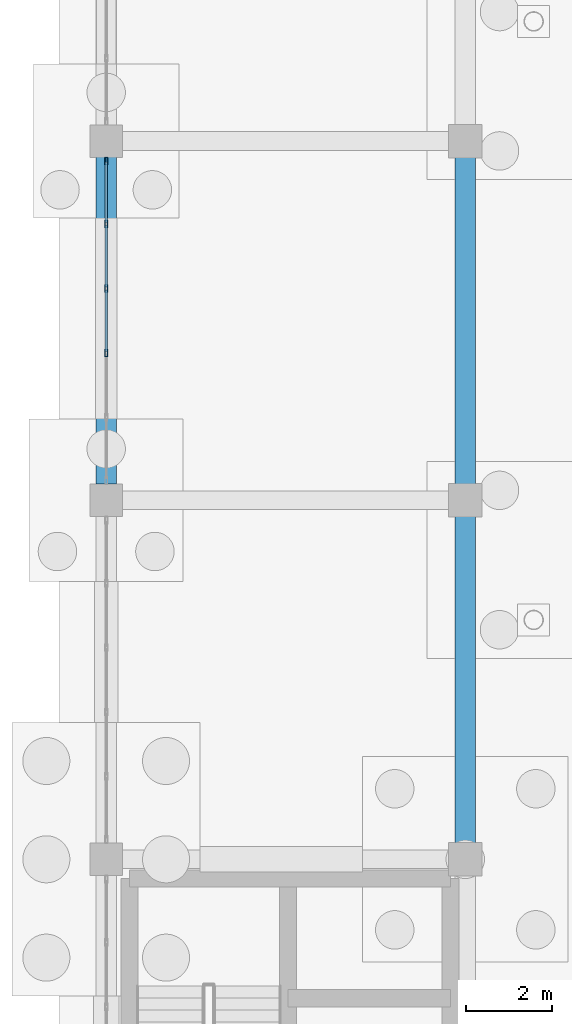
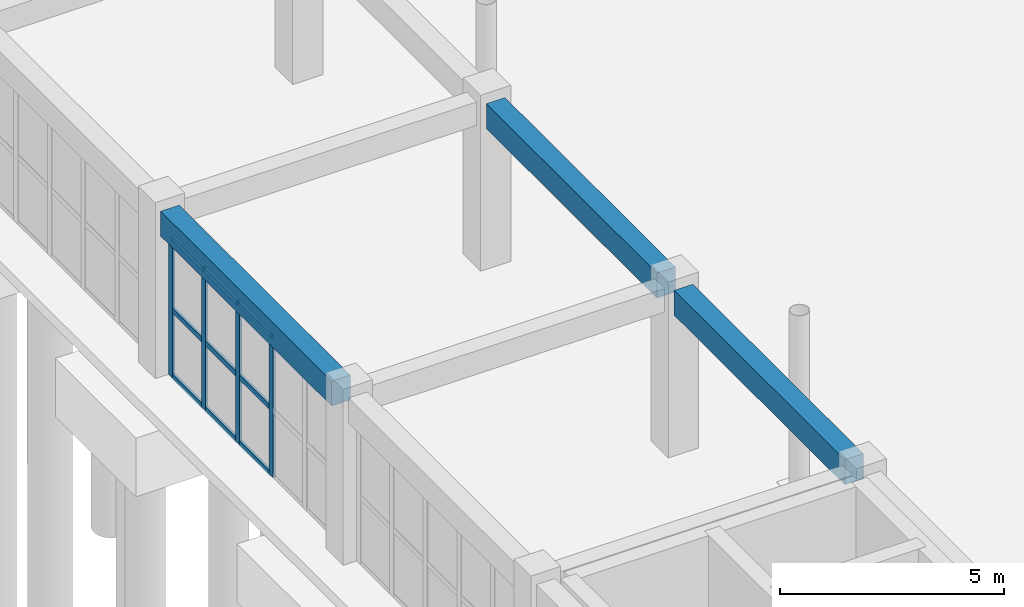
# One storey, part 126 of 192: 13 members, 3 beams, 1 element without a shape of its own.
"""IFC4 building model written with IfcOpenShell, lengths in metres."""

from ifc_helpers import new_model, si_unit, direction, frame, origin, origin_2d, place, context, subcontext, project, spatial, rectangle, hollow_rectangle, extrude, material, layer, layer_set, material_profile, profile_set, type_object, element, aggregate, save


model = new_model("IFC4")

# Units and contexts
model_context = context("Model", 3, precision=1e-05, world=origin(), true_north=direction((0.0, 1.0)))
body_context = subcontext(model_context, "Body", "Model", "MODEL_VIEW")
ifc_project = project(units=[si_unit("LENGTHUNIT", "METRE"), si_unit("AREAUNIT", "SQUARE_METRE"), si_unit("VOLUMEUNIT", "CUBIC_METRE"), si_unit("PLANEANGLEUNIT", "RADIAN"), si_unit("MASSUNIT", "GRAM", prefix="KILO")], contexts=[model_context])

# Site, building, storey
site_placement = place(None, origin())
site = spatial("IfcSite", under=ifc_project, at=site_placement, CompositionType="ELEMENT")
building_placement = place(site_placement, origin())
building = spatial("IfcBuilding", under=site, at=building_placement, Name="Trelvath General Hospital", CompositionType="ELEMENT")
storey_placement = place(building_placement, origin())
storey = spatial("IfcBuildingStorey", under=building, at=storey_placement, Name="L00", CompositionType="ELEMENT", Elevation=0.0)

# Beams
ifc_material_1 = material(Name="Concrete C35/45", Category="concrete")
ifc_material_profile_1 = material_profile(ifc_material_1, rectangle(XDim=0.47998046875, YDim=0.679931640625, at=origin_2d()), Name="RCB480x680")
ifc_profile_set_1 = profile_set([ifc_material_profile_1], Name="Concrete C35/45")
beam_type = type_object("IfcBeamType", Name="Beam RC480x680", PredefinedType="BEAM", material=ifc_profile_set_1)
beam_placement = place(storey_placement, frame((134.39990234375, 42.375, 4.179931640625), z_axis=(0.0, 1.0, 0.0), x_axis=(-1.0, 0.0, 0.0)))
element("IfcBeam", 1, at=beam_placement, inside=storey, type_object=beam_type, Name="Grid Beam BY-016F", PredefinedType="BEAM", context=body_context, shape_type="SweptSolid", body=[
    extrude(rectangle(XDim=0.47998046875, YDim=0.679931640625, at=origin_2d()), origin(), (0.0, 0.0, 1.0), 7.64990234375),
])
for number, where, z_axis, x_axis, name in (
    (2, (142.800048828125, 33.985107421875, 4.179931640625), (0.0, 1.0, 0.0), (-1.0, 0.0, 0.0), "Grid Beam BY-017E"),
    (3, (142.800048828125, 42.385009765625, 4.179931640625), (0.0, 1.0, 0.0), (-1.0, 0.0, 0.0), "Grid Beam BY-017F"),
):
    element("IfcBeam", number, at=place(storey_placement, frame(where, z_axis=z_axis, x_axis=x_axis)), inside=storey, type_object=beam_type, Name=name, PredefinedType="BEAM", context=body_context, shape_type="SweptSolid", body=[
        extrude(rectangle(XDim=0.47998046875, YDim=0.679931640625, at=origin_2d()), origin(), (0.0, 0.0, 1.0), 7.6298828125),
    ])

# Curtain wall, members
ifc_material_2 = material(Name="Anodised aluminium and low-E glass", Category="aluminium")
ifc_layer = layer(ifc_material_2, 0.179931640625)
ifc_layer_set = layer_set([ifc_layer], Name="Anodised aluminium and low-E glass")
curtain_wall_type = type_object("IfcCurtainWallType", Name="CW Facade 753 382 18", PredefinedType="USERDEFINED", material=ifc_layer_set)
curtain_wall_placement = place(storey_placement, origin())
curtain_wall = element("IfcCurtainWall", 4, at=curtain_wall_placement, inside=storey, type_object=curtain_wall_type, Name="Facade Curtain Wall CW-006", ObjectType="Unitised Glazed Curtain Wall", PredefinedType="USERDEFINED")
ifc_material_3 = material(Name="Anodised aluminium", Category="aluminium")
ifc_material_profile_2 = material_profile(ifc_material_3, hollow_rectangle(XDim=0.06494140625, YDim=0.179931640625, WallThickness=0.0048828125, at=origin_2d()), Name="RHS65x180x5")
ifc_profile_set_2 = profile_set([ifc_material_profile_2], Name="Anodised aluminium")
member_type_1 = type_object("IfcMemberType", Name="CurtainMullion 65x180", PredefinedType="MULLION", material=ifc_profile_set_2)
member_1_placement = place(storey_placement, frame((134.39990234375, 45.447021484375, 0.0), z_axis=(0.0, 0.0, 1.0), x_axis=(-1.0, 0.0, 0.0)))
member_1 = element("IfcMember", 5, at=member_1_placement, type_object=member_type_1, Name="CW-006 mullion 3", PredefinedType="MULLION", context=body_context, shape_type="SweptSolid", body=[
    extrude(hollow_rectangle(XDim=0.06494140625, YDim=0.179931640625, WallThickness=0.0048828125, at=origin_2d()), origin(), (0.0, 0.0, 1.0), 3.820068359375),
])
member_2_placement = place(storey_placement, frame((134.39990234375, 46.952880859375, 0.0), z_axis=(0.0, 0.0, 1.0), x_axis=(-1.0, 0.0, 0.0)))
member_2 = element("IfcMember", 6, at=member_2_placement, type_object=member_type_1, Name="CW-006 mullion 4", PredefinedType="MULLION", context=body_context, shape_type="SweptSolid", body=[
    extrude(hollow_rectangle(XDim=0.06494140625, YDim=0.179931640625, WallThickness=0.0048828125, at=origin_2d()), origin(), (0.0, 0.0, 1.0), 3.820068359375),
])
member_3_placement = place(storey_placement, frame((134.39990234375, 48.458984375, 0.0), z_axis=(0.0, 0.0, 1.0), x_axis=(-1.0, 0.0, 0.0)))
member_3 = element("IfcMember", 7, at=member_3_placement, type_object=member_type_1, Name="CW-006 mullion 5", PredefinedType="MULLION", context=body_context, shape_type="SweptSolid", body=[
    extrude(hollow_rectangle(XDim=0.06494140625, YDim=0.179931640625, WallThickness=0.0048828125, at=origin_2d()), origin(), (0.0, 0.0, 1.0), 3.820068359375),
])
member_4_placement = place(storey_placement, frame((134.39990234375, 49.9326171875, 0.0), z_axis=(0.0, 0.0, 1.0), x_axis=(-1.0, 0.0, 0.0)))
member_4 = element("IfcMember", 8, at=member_4_placement, type_object=member_type_1, Name="CW-006 mullion 6", PredefinedType="MULLION", context=body_context, shape_type="SweptSolid", body=[
    extrude(hollow_rectangle(XDim=0.06494140625, YDim=0.179931640625, WallThickness=0.0048828125, at=origin_2d()), origin(), (0.0, 0.0, 1.0), 3.820068359375),
])
ifc_material_4 = material(Name="Anodised aluminium", Category="aluminium")
ifc_material_profile_3 = material_profile(ifc_material_4, hollow_rectangle(XDim=0.06494140625, YDim=0.14501953125, WallThickness=0.00390625, at=origin_2d()), Name="RHS65x145x4")
ifc_profile_set_3 = profile_set([ifc_material_profile_3], Name="Anodised aluminium")
member_type_2 = type_object("IfcMemberType", Name="CurtainTransom 65x145", PredefinedType="USERDEFINED", material=ifc_profile_set_3)
member_5_placement = place(storey_placement, frame((134.39990234375, 45.4794921875, 0.032470703125), z_axis=(0.0, 1.0, 0.0), x_axis=(-1.0, 0.0, 0.0)))
member_5 = element("IfcMember", 9, at=member_5_placement, type_object=member_type_2, Name="CW-006 transom 3.1", ObjectType="TRANSOM", PredefinedType="USERDEFINED", context=body_context, shape_type="SweptSolid", body=[
    extrude(hollow_rectangle(XDim=0.06494140625, YDim=0.14501953125, WallThickness=0.00390625, at=origin_2d()), origin(), (0.0, 0.0, 1.0), 1.44091796875),
])
member_6_placement = place(storey_placement, frame((134.39990234375, 45.4794921875, 1.833984375), z_axis=(0.0, 1.0, 0.0), x_axis=(-1.0, 0.0, 0.0)))
member_6 = element("IfcMember", 10, at=member_6_placement, type_object=member_type_2, Name="CW-006 transom 3.2", ObjectType="TRANSOM", PredefinedType="USERDEFINED", context=body_context, shape_type="SweptSolid", body=[
    extrude(hollow_rectangle(XDim=0.06494140625, YDim=0.14501953125, WallThickness=0.00390625, at=origin_2d()), origin(), (0.0, 0.0, 1.0), 1.44091796875),
])
member_7_placement = place(storey_placement, frame((134.39990234375, 45.4794921875, 3.78759765625), z_axis=(0.0, 1.0, 0.0), x_axis=(-1.0, 0.0, 0.0)))
member_7 = element("IfcMember", 11, at=member_7_placement, type_object=member_type_2, Name="CW-006 transom 3.3", ObjectType="TRANSOM", PredefinedType="USERDEFINED", context=body_context, shape_type="SweptSolid", body=[
    extrude(hollow_rectangle(XDim=0.06494140625, YDim=0.14501953125, WallThickness=0.00390625, at=origin_2d()), origin(), (0.0, 0.0, 1.0), 1.44091796875),
])
member_8_placement = place(storey_placement, frame((134.39990234375, 46.985595703125, 0.032470703125), z_axis=(0.0, 1.0, 0.0), x_axis=(-1.0, 0.0, 0.0)))
member_8 = element("IfcMember", 12, at=member_8_placement, type_object=member_type_2, Name="CW-006 transom 4.1", ObjectType="TRANSOM", PredefinedType="USERDEFINED", context=body_context, shape_type="SweptSolid", body=[
    extrude(hollow_rectangle(XDim=0.06494140625, YDim=0.14501953125, WallThickness=0.00390625, at=origin_2d()), origin(), (0.0, 0.0, 1.0), 1.44091796875),
])
member_9_placement = place(storey_placement, frame((134.39990234375, 46.985595703125, 1.833984375), z_axis=(0.0, 1.0, 0.0), x_axis=(-1.0, 0.0, 0.0)))
member_9 = element("IfcMember", 13, at=member_9_placement, type_object=member_type_2, Name="CW-006 transom 4.2", ObjectType="TRANSOM", PredefinedType="USERDEFINED", context=body_context, shape_type="SweptSolid", body=[
    extrude(hollow_rectangle(XDim=0.06494140625, YDim=0.14501953125, WallThickness=0.00390625, at=origin_2d()), origin(), (0.0, 0.0, 1.0), 1.44091796875),
])
member_10_placement = place(storey_placement, frame((134.39990234375, 46.985595703125, 3.78759765625), z_axis=(0.0, 1.0, 0.0), x_axis=(-1.0, 0.0, 0.0)))
member_10 = element("IfcMember", 14, at=member_10_placement, type_object=member_type_2, Name="CW-006 transom 4.3", ObjectType="TRANSOM", PredefinedType="USERDEFINED", context=body_context, shape_type="SweptSolid", body=[
    extrude(hollow_rectangle(XDim=0.06494140625, YDim=0.14501953125, WallThickness=0.00390625, at=origin_2d()), origin(), (0.0, 0.0, 1.0), 1.44091796875),
])
member_11_placement = place(storey_placement, frame((134.39990234375, 48.491455078125, 0.032470703125), z_axis=(0.0, 1.0, 0.0), x_axis=(-1.0, 0.0, 0.0)))
member_11 = element("IfcMember", 15, at=member_11_placement, type_object=member_type_2, Name="CW-006 transom 5.1", ObjectType="TRANSOM", PredefinedType="USERDEFINED", context=body_context, shape_type="SweptSolid", body=[
    extrude(hollow_rectangle(XDim=0.06494140625, YDim=0.14501953125, WallThickness=0.00390625, at=origin_2d()), origin(), (0.0, 0.0, 1.0), 1.408447265625),
])
member_12_placement = place(storey_placement, frame((134.39990234375, 48.491455078125, 1.833984375), z_axis=(0.0, 1.0, 0.0), x_axis=(-1.0, 0.0, 0.0)))
member_12 = element("IfcMember", 16, at=member_12_placement, type_object=member_type_2, Name="CW-006 transom 5.2", ObjectType="TRANSOM", PredefinedType="USERDEFINED", context=body_context, shape_type="SweptSolid", body=[
    extrude(hollow_rectangle(XDim=0.06494140625, YDim=0.14501953125, WallThickness=0.00390625, at=origin_2d()), origin(), (0.0, 0.0, 1.0), 1.408447265625),
])
member_13_placement = place(storey_placement, frame((134.39990234375, 48.491455078125, 3.78759765625), z_axis=(0.0, 1.0, 0.0), x_axis=(-1.0, 0.0, 0.0)))
member_13 = element("IfcMember", 17, at=member_13_placement, type_object=member_type_2, Name="CW-006 transom 5.3", ObjectType="TRANSOM", PredefinedType="USERDEFINED", context=body_context, shape_type="SweptSolid", body=[
    extrude(hollow_rectangle(XDim=0.06494140625, YDim=0.14501953125, WallThickness=0.00390625, at=origin_2d()), origin(), (0.0, 0.0, 1.0), 1.408447265625),
])
aggregate(curtain_wall, [member_1, member_2, member_3, member_4, member_5, member_6, member_7, member_8, member_9, member_10, member_11, member_12, member_13])

save(model, "model.ifc")
